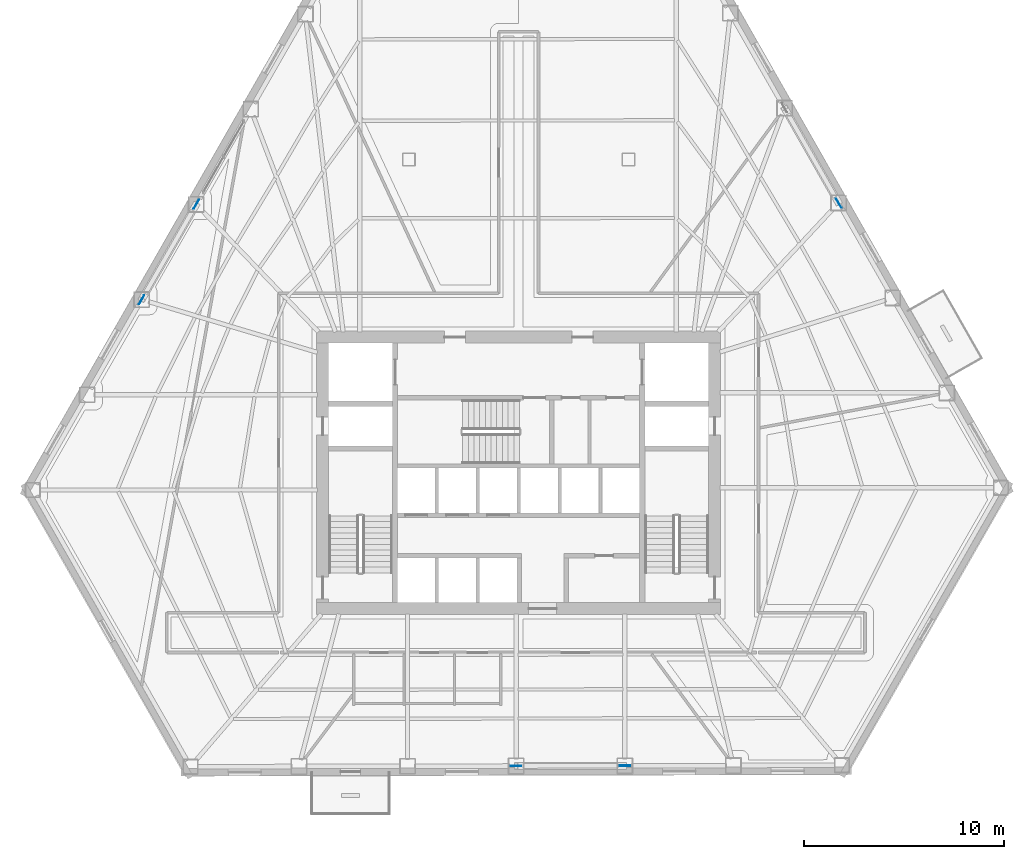
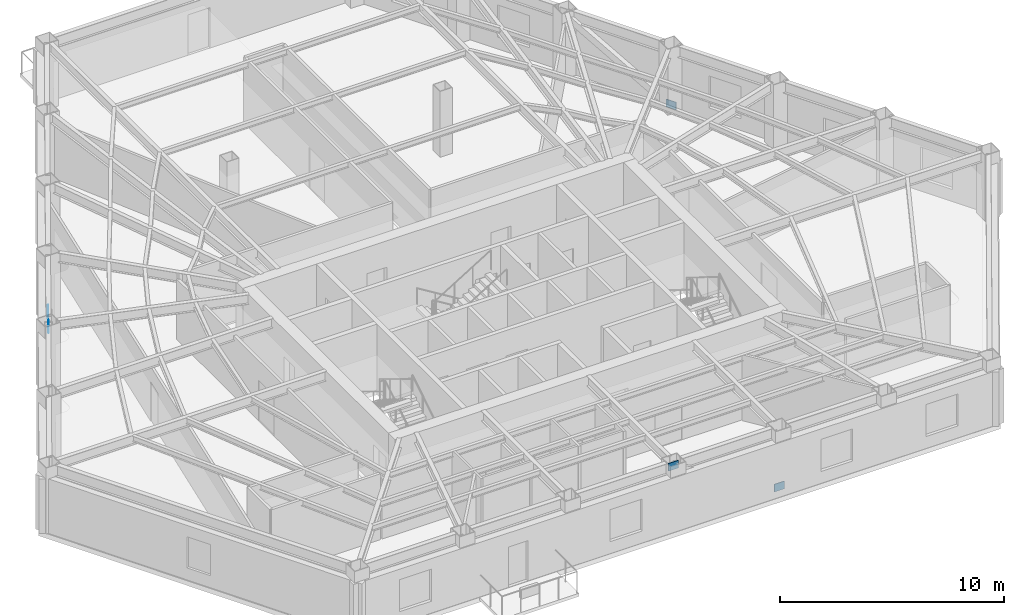
# One storey, part 6 of 14: 5 plates.
"""IFC4 building model written with IfcOpenShell, lengths in metres."""

from ifc_helpers import new_model, si_unit, direction, frame, origin, origin_2d, place, context, subcontext, project, spatial, rectangle, extrude, material, layer, layer_set, type_object, element, save


model = new_model("IFC4")

# Units and contexts
model_context = context("Model", 3, precision=1e-05, world=origin(), true_north=direction((0.0, 1.0)))
body_context = subcontext(model_context, "Body", "Model", "MODEL_VIEW")
ifc_project = project(units=[si_unit("LENGTHUNIT", "METRE"), si_unit("AREAUNIT", "SQUARE_METRE"), si_unit("VOLUMEUNIT", "CUBIC_METRE"), si_unit("PLANEANGLEUNIT", "RADIAN"), si_unit("MASSUNIT", "GRAM", prefix="KILO")], contexts=[model_context])

# Site, building, storey
site_placement = place(None, origin())
site = spatial("IfcSite", under=ifc_project, at=site_placement, CompositionType="ELEMENT")
building_placement = place(site_placement, origin())
building = spatial("IfcBuilding", under=site, at=building_placement, Name="Kavelnor Concourse Tower", CompositionType="ELEMENT")
storey_placement = place(building_placement, frame((0.0, 0.0, 17.550048828125)))
storey = spatial("IfcBuildingStorey", under=building, at=storey_placement, Name="L04", CompositionType="ELEMENT", Elevation=17.550048828125)

# Plates
ifc_material = material(Name="Steel Grade 350", Category="steel")
ifc_layer = layer(ifc_material, 0.031982421875, Name="Steel Grade 350")
ifc_layer_set = layer_set([ifc_layer], Name="Steel Grade 350")
plate_type = type_object("IfcPlateType", Name="PL-GUSSET-TUBE-Z1", PredefinedType="USERDEFINED", material=ifc_layer_set)
for number, where, z_axis, x_axis, name in (
    (1, (21.85546875, 29.5634765625, 0.010009765625), (0.0, 0.0, 1.0), (-0.496973961028, -0.867765453369, 0.0), "L04 Tube Brace Gusset GP3 F0-B3 End Gusset A"),
    (2, (19.11279296875, 24.775146484375, 3.073974609375), (0.0, 0.0, 1.0), (-0.496973961028, -0.867765453369, 0.0), "L04 Tube Brace Gusset GP3 F0-B3 End Gusset B"),
    (3, (43.326904296875, 1.4345703125, 0.010009765625), (0.0, 0.0, 1.0), (-0.999997806755, -0.002094393571, 0.0), "L04 Tube Brace Gusset GP3 F1-B3 End Gusset A"),
    (4, (37.863525390625, 1.422607421875, 3.073974609375), (0.0, 0.0, 1.0), (-0.999997806755, -0.002094393571, 0.0), "L04 Tube Brace Gusset GP3 F1-B3 End Gusset B"),
    (5, (54.031982421875, 29.6142578125, 0.010009765625), (0.0, 0.0, 1.0), (-0.495155428655, 0.868804409216, 0.0), "L04 Tube Brace Gusset GP3 F2-B3 End Gusset A"),
):
    element("IfcPlate", number, at=place(storey_placement, frame(where, z_axis=z_axis, x_axis=x_axis)), inside=storey, type_object=plate_type, Name=name, ObjectType="GUSSET_PLATE", PredefinedType="USERDEFINED", context=body_context, shape_type="SweptSolid", body=[
        extrude(rectangle(XDim=0.52001953125, YDim=0.031982421875, at=origin_2d()), origin(), (0.0, 0.0, 1.0), 0.419921875),
    ])

save(model, "model.ifc")
